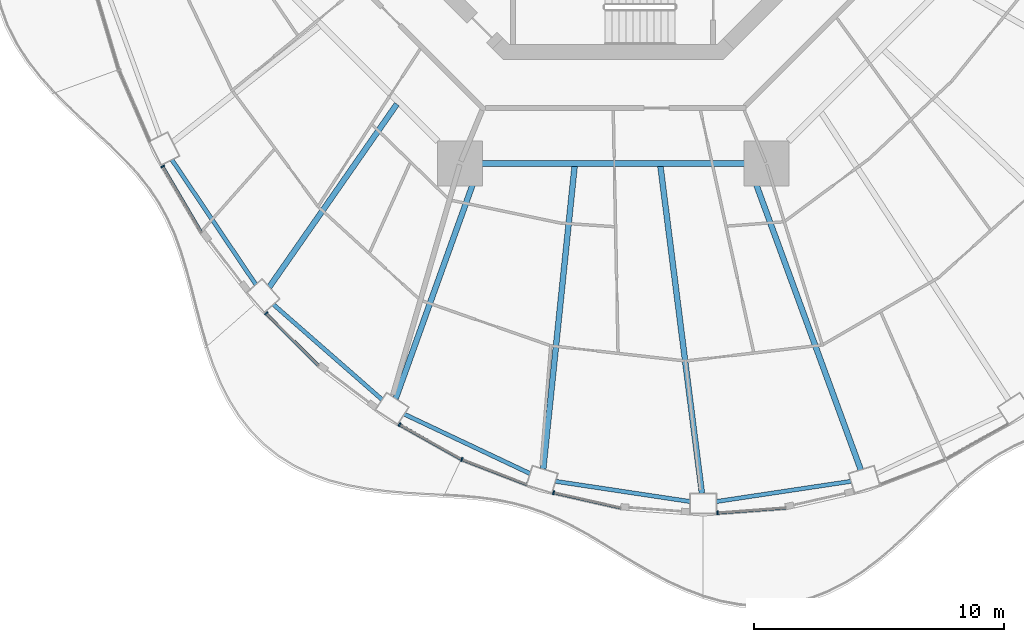
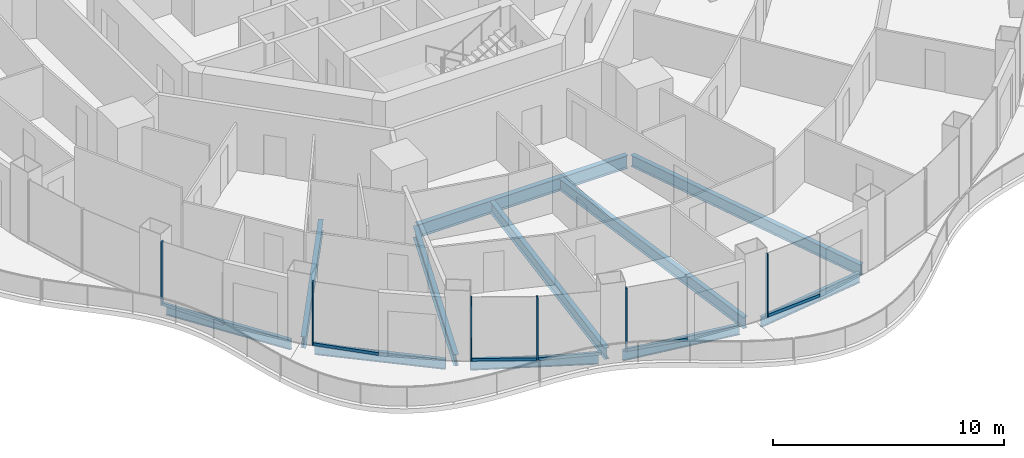
# One storey, part 2 of 19: 12 members, 11 beams, 6 elements without a shape of their own.
"""IFC4 building model written with IfcOpenShell, lengths in metres."""

from ifc_helpers import new_model, si_unit, direction, frame, origin, origin_2d, place, context, subcontext, project, spatial, rectangle, i_section, extrude, material, layer, layer_set, material_profile, profile_set, type_object, element, aggregate, save


model = new_model("IFC4")

# Units and contexts
model_context = context("Model", 3, precision=1e-05, world=origin(), true_north=direction((0.0, 1.0)))
body_context = subcontext(model_context, "Body", "Model", "MODEL_VIEW")
ifc_project = project(units=[si_unit("LENGTHUNIT", "METRE"), si_unit("AREAUNIT", "SQUARE_METRE"), si_unit("VOLUMEUNIT", "CUBIC_METRE"), si_unit("PLANEANGLEUNIT", "RADIAN"), si_unit("MASSUNIT", "GRAM", prefix="KILO")], contexts=[model_context])

# Site, building, storey
site_placement = place(None, origin())
site = spatial("IfcSite", under=ifc_project, at=site_placement, CompositionType="ELEMENT")
building_placement = place(site_placement, origin())
building = spatial("IfcBuilding", under=site, at=building_placement, Name="Nagisa Residences", CompositionType="ELEMENT")
storey_placement = place(building_placement, frame((0.0, 0.0, 202.89990234375)))
storey = spatial("IfcBuildingStorey", under=building, at=storey_placement, Name="L51", CompositionType="ELEMENT", Elevation=202.89990234375)

# Curtain wall, member
ifc_material_1 = material(Name="Concrete-coloured aluminium curtain wall system", Category="concrete")
ifc_layer = layer(ifc_material_1, 0.159912109375)
ifc_layer_set = layer_set([ifc_layer], Name="CW1 CURTAIN WALL")
curtain_wall_type = type_object("IfcCurtainWallType", Name="CW1 CURTAIN WALL", PredefinedType="NOTDEFINED", material=ifc_layer_set)
curtain_wall_1_placement = place(storey_placement, origin())
curtain_wall_1 = element("IfcCurtainWall", 1, at=curtain_wall_1_placement, inside=storey, type_object=curtain_wall_type, Name="cw:CW1:L51:28", PredefinedType="NOTDEFINED")
ifc_material_2 = material(Name="Concrete-coloured aluminium", Category="concrete")
ifc_material_profile_1 = material_profile(ifc_material_2, rectangle(XDim=0.159912109375, YDim=0.06005859375, at=origin_2d()), Name="CW1 MULLION 160x60")
ifc_profile_set_1 = profile_set([ifc_material_profile_1], Name="Concrete-coloured aluminium")
member_type_1 = type_object("IfcMemberType", Name="CW1 MULLION 160x60", PredefinedType="MULLION", material=ifc_profile_set_1)
member_1_placement = place(storey_placement, frame((-18.0126953125, -14.897216796875, 0.0), z_axis=(0.0, 0.0, 1.0), x_axis=(0.862328898214, 0.506348567002, 0.0)))
member_1 = element("IfcMember", 2, at=member_1_placement, type_object=member_type_1, Name="CW1 mullion", PredefinedType="MULLION", context=body_context, shape_type="SweptSolid", body=[
    extrude(rectangle(XDim=0.159912109375, YDim=0.06005859375, at=origin_2d()), origin(), (0.0, 0.0, 1.0), 3.35009765625),
])

curtain_wall_2_placement = place(storey_placement, origin())
curtain_wall_2 = element("IfcCurtainWall", 3, at=curtain_wall_2_placement, inside=storey, type_object=curtain_wall_type, Name="cw:CW1:L51:30", PredefinedType="NOTDEFINED")
member_2_placement = place(storey_placement, frame((-13.875732421875, -20.770751953125, 0.0), z_axis=(0.0, 0.0, 1.0), x_axis=(0.706376885714, 0.707835924016, 0.0)))
member_2 = element("IfcMember", 4, at=member_2_placement, type_object=member_type_1, Name="CW1 mullion", PredefinedType="MULLION", context=body_context, shape_type="SweptSolid", body=[
    extrude(rectangle(XDim=0.159912109375, YDim=0.06005859375, at=origin_2d()), origin(), (0.0, 0.0, 1.0), 3.35009765625),
])

curtain_wall_3_placement = place(storey_placement, origin())
curtain_wall_3 = element("IfcCurtainWall", 5, at=curtain_wall_3_placement, inside=storey, type_object=curtain_wall_type, Name="cw:CW1:L51:32", PredefinedType="NOTDEFINED")
member_3_placement = place(storey_placement, frame((-8.54248046875, -25.220458984375, 0.0), z_axis=(0.0, 0.0, 1.0), x_axis=(0.489376918501, 0.872072377523, 0.0)))
member_3 = element("IfcMember", 6, at=member_3_placement, type_object=member_type_1, Name="CW1 mullion", PredefinedType="MULLION", context=body_context, shape_type="SweptSolid", body=[
    extrude(rectangle(XDim=0.159912109375, YDim=0.06005859375, at=origin_2d()), origin(), (0.0, 0.0, 1.0), 3.35009765625),
])

curtain_wall_4_placement = place(storey_placement, origin())
curtain_wall_4 = element("IfcCurtainWall", 7, at=curtain_wall_4_placement, inside=storey, type_object=curtain_wall_type, Name="cw:CW1:L51:33", PredefinedType="NOTDEFINED")
member_4_placement = place(storey_placement, frame((-6.0537109375, -26.61328125, 0.0), z_axis=(0.0, 0.0, 1.0), x_axis=(0.360327770268, 0.932825759707, 0.0)))
member_4 = element("IfcMember", 8, at=member_4_placement, type_object=member_type_1, Name="CW1 mullion", PredefinedType="MULLION", context=body_context, shape_type="SweptSolid", body=[
    extrude(rectangle(XDim=0.159912109375, YDim=0.06005859375, at=origin_2d()), origin(), (0.0, 0.0, 1.0), 3.35009765625),
])

curtain_wall_5_placement = place(storey_placement, origin())
curtain_wall_5 = element("IfcCurtainWall", 9, at=curtain_wall_5_placement, inside=storey, type_object=curtain_wall_type, Name="cw:CW1:L51:34", PredefinedType="NOTDEFINED")
member_5_placement = place(storey_placement, frame((-2.38427734375, -27.941162109375, 0.0), z_axis=(0.0, 0.0, 1.0), x_axis=(0.2207639201, 0.975327274089, 0.0)))
member_5 = element("IfcMember", 10, at=member_5_placement, type_object=member_type_1, Name="CW1 mullion", PredefinedType="MULLION", context=body_context, shape_type="SweptSolid", body=[
    extrude(rectangle(XDim=0.159912109375, YDim=0.06005859375, at=origin_2d()), origin(), (0.0, 0.0, 1.0), 3.35009765625),
])

curtain_wall_6_placement = place(storey_placement, origin())
curtain_wall_6 = element("IfcCurtainWall", 11, at=curtain_wall_6_placement, inside=storey, type_object=curtain_wall_type, Name="cw:CW1:L51:36", PredefinedType="NOTDEFINED")
member_6_placement = place(storey_placement, frame((4.17236328125, -28.752197265625, 0.0), z_axis=(0.0, 0.0, 1.0), x_axis=(-0.074377355493, 0.997230168512, 0.0)))
member_6 = element("IfcMember", 12, at=member_6_placement, type_object=member_type_1, Name="CW1 mullion", PredefinedType="MULLION", context=body_context, shape_type="SweptSolid", body=[
    extrude(rectangle(XDim=0.159912109375, YDim=0.06005859375, at=origin_2d()), origin(), (0.0, 0.0, 1.0), 3.35009765625),
])

# Member
ifc_material_3 = material(Name="Concrete-coloured aluminium", Category="concrete")
ifc_material_profile_2 = material_profile(ifc_material_3, rectangle(XDim=0.1201171875, YDim=0.14990234375, at=origin_2d()), Name="CW1 TRANSOM 120x150")
ifc_profile_set_2 = profile_set([ifc_material_profile_2], Name="Concrete-coloured aluminium")
member_type_2 = type_object("IfcMemberType", Name="CW1 TRANSOM 120x150", PredefinedType="USERDEFINED", material=ifc_profile_set_2)
member_7_placement = place(storey_placement, frame((-18.02783203125, -14.871337890625, 0.0751953125), z_axis=(0.506309086483, -0.862352079458, 0.0), x_axis=(0.862352079458, 0.506309086483, 0.0)))
member_7 = element("IfcMember", 13, at=member_7_placement, type_object=member_type_2, Name="CW1 transom", ObjectType="TRANSOM", PredefinedType="USERDEFINED", context=body_context, shape_type="SweptSolid", body=[
    extrude(rectangle(XDim=0.1201171875, YDim=0.14990234375, at=origin_2d()), origin(), (0.0, 0.0, 1.0), 3.091796875),
])

aggregate(curtain_wall_1, [member_1, member_7])

member_8_placement = place(storey_placement, frame((-13.89697265625, -20.74951171875, 0.0751953125), z_axis=(0.707803821372, -0.706409053206, 0.0), x_axis=(0.706409053206, 0.707803821372, 0.0)))
member_8 = element("IfcMember", 14, at=member_8_placement, type_object=member_type_2, Name="CW1 transom", ObjectType="TRANSOM", PredefinedType="USERDEFINED", context=body_context, shape_type="SweptSolid", body=[
    extrude(rectangle(XDim=0.1201171875, YDim=0.14990234375, at=origin_2d()), origin(), (0.0, 0.0, 1.0), 2.9755859375),
])

aggregate(curtain_wall_2, [member_2, member_8])

member_9_placement = place(storey_placement, frame((-8.568603515625, -25.205810546875, 0.0751953125), z_axis=(0.872057843239, -0.489402817774, 0.0), x_axis=(0.489402817774, 0.872057843239, 0.0)))
member_9 = element("IfcMember", 15, at=member_9_placement, type_object=member_type_2, Name="CW1 transom", ObjectType="TRANSOM", PredefinedType="USERDEFINED", context=body_context, shape_type="SweptSolid", body=[
    extrude(rectangle(XDim=0.1201171875, YDim=0.14990234375, at=origin_2d()), origin(), (0.0, 0.0, 1.0), 2.863525390625),
])

aggregate(curtain_wall_3, [member_3, member_9])

member_10_placement = place(storey_placement, frame((-6.081787109375, -26.602294921875, 0.0751953125), z_axis=(0.932806734513, -0.360377019311, 0.0), x_axis=(0.360377019311, 0.932806734513, 0.0)))
member_10 = element("IfcMember", 16, at=member_10_placement, type_object=member_type_2, Name="CW1 transom", ObjectType="TRANSOM", PredefinedType="USERDEFINED", context=body_context, shape_type="SweptSolid", body=[
    extrude(rectangle(XDim=0.1201171875, YDim=0.14990234375, at=origin_2d()), origin(), (0.0, 0.0, 1.0), 2.819580078125),
])

aggregate(curtain_wall_4, [member_4, member_10])

member_11_placement = place(storey_placement, frame((-2.413330078125, -27.9345703125, 0.0751953125), z_axis=(0.975324329911, -0.220776926974, 0.0), x_axis=(0.220776926974, 0.975324329911, 0.0)))
member_11 = element("IfcMember", 17, at=member_11_placement, type_object=member_type_2, Name="CW1 transom", ObjectType="TRANSOM", PredefinedType="USERDEFINED", context=body_context, shape_type="SweptSolid", body=[
    extrude(rectangle(XDim=0.1201171875, YDim=0.14990234375, at=origin_2d()), origin(), (0.0, 0.0, 1.0), 2.787841796875),
])

aggregate(curtain_wall_5, [member_5, member_11])

member_12_placement = place(storey_placement, frame((4.142578125, -28.75439453125, 0.0751953125), z_axis=(0.997225528735, 0.074439538143, 0.0), x_axis=(-0.074439538143, 0.997225528735, 0.0)))
member_12 = element("IfcMember", 18, at=member_12_placement, type_object=member_type_2, Name="CW1 transom", ObjectType="TRANSOM", PredefinedType="USERDEFINED", context=body_context, shape_type="SweptSolid", body=[
    extrude(rectangle(XDim=0.1201171875, YDim=0.14990234375, at=origin_2d()), origin(), (0.0, 0.0, 1.0), 2.771240234375),
])

aggregate(curtain_wall_6, [member_6, member_12])

# Beams
ifc_material_4 = material(Name="Steel ASTM A572 Gr 50", Category="steel")
ifc_material_profile_3 = material_profile(ifc_material_4, i_section(OverallWidth=0.25390625, OverallDepth=0.68408203125, WebThickness=0.012451171875, FlangeThickness=0.018798828125, at=origin_2d()), Name="W690x140")
ifc_profile_set_3 = profile_set([ifc_material_profile_3], Name="Steel ASTM A572 Gr 50")
beam_type_1 = type_object("IfcBeamType", Name="Inner ring beam W690x140", PredefinedType="BEAM", material=ifc_profile_set_3)
beam_1_placement = place(storey_placement, frame((-5.242919921875, -14.781982421875, -0.601806640625), z_axis=(1.0, 0.0, 0.0), x_axis=(0.0, 1.0, 0.0)))
element("IfcBeam", 19, at=beam_1_placement, inside=storey, type_object=beam_type_1, Name="beam:L51:ib6", PredefinedType="BEAM", context=body_context, shape_type="SweptSolid", body=[
    extrude(i_section(OverallWidth=0.25390625, OverallDepth=0.68408203125, WebThickness=0.012451171875, FlangeThickness=0.018798828125, at=origin_2d()), origin(), (0.0, 0.0, 1.0), 10.48583984375),
])
ifc_material_5 = material(Name="Steel ASTM A572 Gr 50", Category="steel")
ifc_material_profile_4 = material_profile(ifc_material_5, i_section(OverallWidth=0.166015625, OverallDepth=0.534912109375, WebThickness=0.01025390625, FlangeThickness=0.0166015625, at=origin_2d()), Name="W530x85")
ifc_profile_set_4 = profile_set([ifc_material_profile_4], Name="Steel ASTM A572 Gr 50")
beam_type_2 = type_object("IfcBeamType", Name="Perimeter ring beam W530x85", PredefinedType="BEAM", material=ifc_profile_set_4)
beam_2_placement = place(storey_placement, frame((-17.644287109375, -14.630615234375, -0.52734375), z_axis=(0.558152301307, -0.829738518177, 0.0), x_axis=(0.829738518177, 0.558152301307, 0.0)))
element("IfcBeam", 20, at=beam_2_placement, inside=storey, type_object=beam_type_2, Name="beam:L51:pb15", PredefinedType="BEAM", context=body_context, shape_type="SweptSolid", body=[
    extrude(i_section(OverallWidth=0.166015625, OverallDepth=0.534912109375, WebThickness=0.01025390625, FlangeThickness=0.0166015625, at=origin_2d()), origin(), (0.0, 0.0, 1.0), 6.013916015625),
])
beam_3_placement = place(storey_placement, frame((-13.5869140625, -20.416259765625, -0.52734375), z_axis=(0.752461486776, -0.658636250838, 0.0), x_axis=(0.658636250838, 0.752461486776, 0.0)))
element("IfcBeam", 21, at=beam_3_placement, inside=storey, type_object=beam_type_2, Name="beam:L51:pb16", PredefinedType="BEAM", context=body_context, shape_type="SweptSolid", body=[
    extrude(i_section(OverallWidth=0.166015625, OverallDepth=0.534912109375, WebThickness=0.01025390625, FlangeThickness=0.0166015625, at=origin_2d()), origin(), (0.0, 0.0, 1.0), 5.776611328125),
])
beam_4_placement = place(storey_placement, frame((-8.353515625, -24.80224609375, -0.52734375), z_axis=(0.904157325884, -0.427199637232, 0.0), x_axis=(0.427199637232, 0.904157325884, 0.0)))
element("IfcBeam", 22, at=beam_4_placement, inside=storey, type_object=beam_type_2, Name="beam:L51:pb17", PredefinedType="BEAM", context=body_context, shape_type="SweptSolid", body=[
    extrude(i_section(OverallWidth=0.166015625, OverallDepth=0.534912109375, WebThickness=0.01025390625, FlangeThickness=0.0166015625, at=origin_2d()), origin(), (0.0, 0.0, 1.0), 5.56396484375),
])
for number, where, z_axis, x_axis, name in (
    (23, (-2.30810546875, -27.48779296875, -0.52734375), (0.988911312658, -0.148507291732, 0.0), (0.148507291732, 0.988911312658, 0.0), "beam:L51:pb18"),
    (24, (4.130126953125, -28.29541015625, -0.52734375), (0.988911312658, 0.148507291732, 0.0), (-0.148507291732, 0.988911312658, 0.0), "beam:L51:pb19"),
):
    element("IfcBeam", number, at=place(storey_placement, frame(where, z_axis=z_axis, x_axis=x_axis)), inside=storey, type_object=beam_type_2, Name=name, PredefinedType="BEAM", context=body_context, shape_type="SweptSolid", body=[
        extrude(i_section(OverallWidth=0.166015625, OverallDepth=0.534912109375, WebThickness=0.01025390625, FlangeThickness=0.0166015625, at=origin_2d()), origin(), (0.0, 0.0, 1.0), 5.438232421875),
    ])
ifc_material_6 = material(Name="Steel ASTM A572 Gr 50", Category="steel")
ifc_material_profile_5 = material_profile(ifc_material_6, i_section(OverallWidth=0.22802734375, OverallDepth=0.60302734375, WebThickness=0.010498046875, FlangeThickness=0.014892578125, at=origin_2d()), Name="W610x101")
ifc_profile_set_5 = profile_set([ifc_material_profile_5], Name="Steel ASTM A572 Gr 50")
beam_type_3 = type_object("IfcBeamType", Name="Radial beam W610x101", PredefinedType="BEAM", material=ifc_profile_set_5)
beam_5_placement = place(storey_placement, frame((-13.75048828125, -19.7216796875, -0.5615234375), z_axis=(0.571934479253, 0.82029930601, 0.0), x_axis=(-0.82029930601, 0.571934479253, 0.0)))
element("IfcBeam", 25, at=beam_5_placement, inside=storey, type_object=beam_type_3, Name="beam:L51:rb16", PredefinedType="BEAM", context=body_context, shape_type="SweptSolid", body=[
    extrude(i_section(OverallWidth=0.22802734375, OverallDepth=0.60302734375, WebThickness=0.010498046875, FlangeThickness=0.014892578125, at=origin_2d()), origin(), (0.0, 0.0, 1.0), 8.917724609375),
])
beam_6_placement = place(storey_placement, frame((-8.6962890625, -24.180908203125, -0.5615234375), z_axis=(0.338417364879, 0.940996114311, 0.0), x_axis=(-0.940996114311, 0.338417364879, 0.0)))
element("IfcBeam", 26, at=beam_6_placement, inside=storey, type_object=beam_type_3, Name="beam:L51:rb17", PredefinedType="BEAM", context=body_context, shape_type="SweptSolid", body=[
    extrude(i_section(OverallWidth=0.22802734375, OverallDepth=0.60302734375, WebThickness=0.010498046875, FlangeThickness=0.014892578125, at=origin_2d()), origin(), (0.0, 0.0, 1.0), 9.873291015625),
])
beam_7_placement = place(storey_placement, frame((-2.795654296875, -26.997314453125, -0.5615234375), z_axis=(0.103007948723, 0.994680532885, 0.0), x_axis=(-0.994680532885, 0.103007948723, 0.0)))
element("IfcBeam", 27, at=beam_7_placement, inside=storey, type_object=beam_type_3, Name="beam:L51:rb18", PredefinedType="BEAM", context=body_context, shape_type="SweptSolid", body=[
    extrude(i_section(OverallWidth=0.22802734375, OverallDepth=0.60302734375, WebThickness=0.010498046875, FlangeThickness=0.014892578125, at=origin_2d()), origin(), (0.0, 0.0, 1.0), 12.1728515625),
])
beam_8_placement = place(storey_placement, frame((3.548583984375, -27.9697265625, -0.5615234375), z_axis=(-0.125871302495, 0.992046579153, 0.0), x_axis=(-0.992046579153, -0.125871302495, 0.0)))
element("IfcBeam", 28, at=beam_8_placement, inside=storey, type_object=beam_type_3, Name="beam:L51:rb19", PredefinedType="BEAM", context=body_context, shape_type="SweptSolid", body=[
    extrude(i_section(OverallWidth=0.22802734375, OverallDepth=0.60302734375, WebThickness=0.010498046875, FlangeThickness=0.014892578125, at=origin_2d()), origin(), (0.0, 0.0, 1.0), 13.185546875),
])
beam_9_placement = place(storey_placement, frame((9.898681640625, -27.02734375, -0.5615234375), z_axis=(-0.343903309659, 0.939005065804, 0.0), x_axis=(-0.939005065804, -0.343903309659, 0.0)))
element("IfcBeam", 29, at=beam_9_placement, inside=storey, type_object=beam_type_3, Name="beam:L51:rb20", PredefinedType="BEAM", context=body_context, shape_type="SweptSolid", body=[
    extrude(i_section(OverallWidth=0.22802734375, OverallDepth=0.60302734375, WebThickness=0.010498046875, FlangeThickness=0.014892578125, at=origin_2d()), origin(), (0.0, 0.0, 1.0), 12.92529296875),
])

save(model, "model.ifc")
